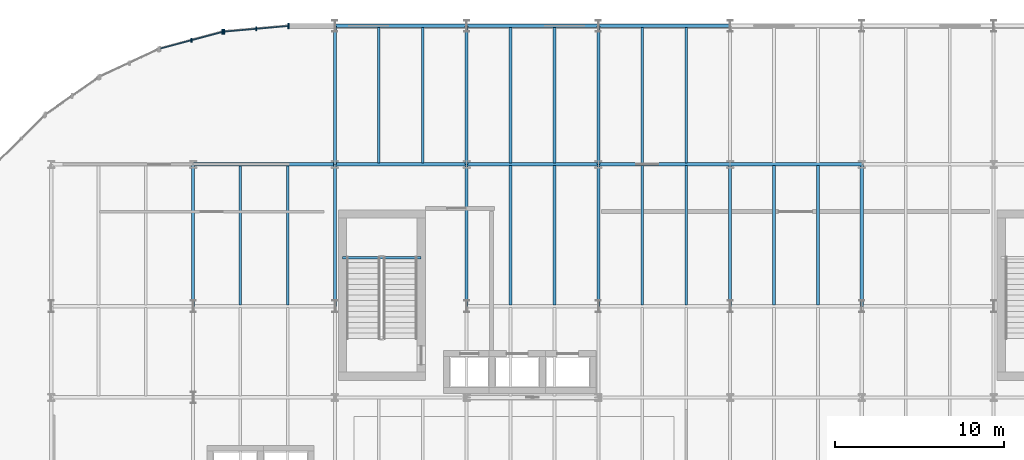
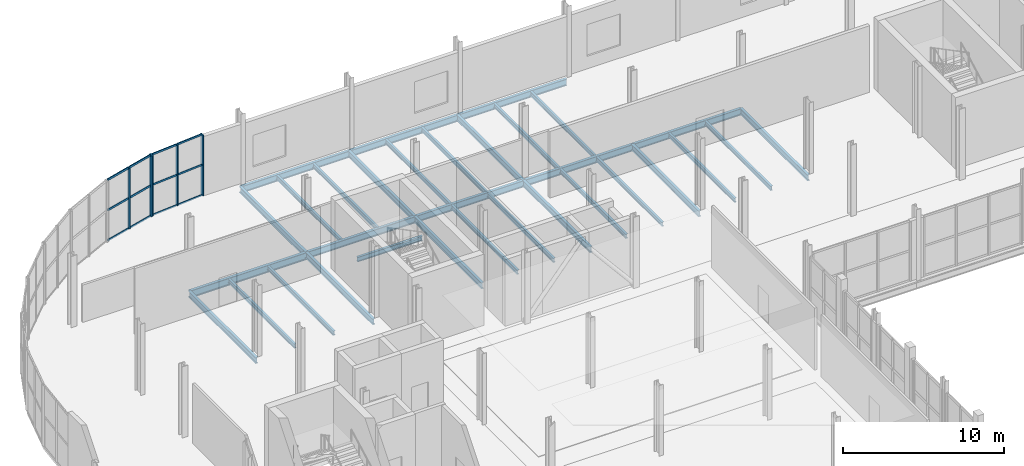
# One storey, part 28 of 78: 32 beams, 17 members, 2 elements without a shape of their own.
"""IFC4 building model written with IfcOpenShell, lengths in metres."""

from ifc_helpers import new_model, si_unit, direction, frame, origin, origin_2d, place, context, subcontext, project, spatial, rectangle, i_section, extrude, material, layer, layer_set, material_profile, profile_set, type_object, element, aggregate, save


model = new_model("IFC4")

# Units and contexts
model_context = context("Model", 3, precision=1e-05, world=origin(), true_north=direction((0.0, 1.0)))
body_context = subcontext(model_context, "Body", "Model", "MODEL_VIEW")
ifc_project = project(units=[si_unit("LENGTHUNIT", "METRE"), si_unit("AREAUNIT", "SQUARE_METRE"), si_unit("VOLUMEUNIT", "CUBIC_METRE"), si_unit("PLANEANGLEUNIT", "RADIAN"), si_unit("MASSUNIT", "GRAM", prefix="KILO")], contexts=[model_context])

# Site, building, storey
site_placement = place(None, origin())
site = spatial("IfcSite", under=ifc_project, at=site_placement, CompositionType="ELEMENT")
building_placement = place(site_placement, origin())
building = spatial("IfcBuilding", under=site, at=building_placement, Name="Sefraquen Railside Congress Hotel", CompositionType="ELEMENT")
storey_placement = place(building_placement, frame((0.0, 0.0, 6.0)))
storey = spatial("IfcBuildingStorey", under=building, at=storey_placement, Name="L01", CompositionType="ELEMENT", Elevation=6.0)

# Beams
ifc_material_1 = material(Name="Steel S355JR", Category="steel")
ifc_material_profile_1 = material_profile(ifc_material_1, i_section(OverallWidth=0.169921875, OverallDepth=0.360107421875, WebThickness=0.008056640625, FlangeThickness=0.0126953125, FilletRadius=0.01806640625, at=origin_2d()), Name="IPE 360")
ifc_profile_set_1 = profile_set([ifc_material_profile_1], Name="Steel S355JR")
beam_type_1 = type_object("IfcBeamType", Name="TB-BM-360", PredefinedType="BEAM", material=ifc_profile_set_1)
beam_1_placement = place(storey_placement, frame((25.64990234375, 104.27001953125, 2.320068359375), z_axis=(1.0, 0.0, 0.0), x_axis=(0.0, 1.0, 0.0)))
element("IfcBeam", 1, at=beam_1_placement, inside=storey, type_object=beam_type_1, Name="Stair ST-H02 L01 mid-landing corbel beam", PredefinedType="BEAM", context=body_context, shape_type="SweptSolid", body=[
    extrude(i_section(OverallWidth=0.169921875, OverallDepth=0.360107421875, WebThickness=0.008056640625, FlangeThickness=0.0126953125, FilletRadius=0.01806640625, at=origin_2d()), origin(), (0.0, 0.0, 1.0), 4.66015625),
])
ifc_material_profile_2 = material_profile(ifc_material_1, i_section(OverallWidth=0.18994140625, OverallDepth=0.449951171875, WebThickness=0.009521484375, FlangeThickness=0.0146484375, FilletRadius=0.02099609375, at=origin_2d()), Name="IPE 450")
ifc_profile_set_2 = profile_set([ifc_material_profile_2], Name="Steel S355JR")
beam_type_2 = type_object("IfcBeamType", Name="TB-BM-450", PredefinedType="BEAM", material=ifc_profile_set_2)
for number, where, z_axis, x_axis, name in (
    (2, (16.800048828125, 101.39990234375, -0.52490234375), (0.0, 1.0, 0.0), (-1.0, 0.0, 0.0), "Floor beam BM-L01-0521"),
    (3, (25.199951171875, 101.39990234375, -0.52490234375), (0.0, 1.0, 0.0), (-1.0, 0.0, 0.0), "Floor beam BM-L01-0533"),
):
    element("IfcBeam", number, at=place(storey_placement, frame(where, z_axis=z_axis, x_axis=x_axis)), inside=storey, type_object=beam_type_2, Name=name, PredefinedType="BEAM", context=body_context, shape_type="SweptSolid", body=[
        extrude(i_section(OverallWidth=0.18994140625, OverallDepth=0.449951171875, WebThickness=0.009521484375, FlangeThickness=0.0146484375, FilletRadius=0.02099609375, at=origin_2d()), origin(), (0.0, 0.0, 1.0), 8.400146484375),
    ])
beam_2_placement = place(storey_placement, frame((25.199951171875, 109.800048828125, -0.52490234375), z_axis=(0.0, 1.0, 0.0), x_axis=(-1.0, 0.0, 0.0)))
element("IfcBeam", 4, at=beam_2_placement, inside=storey, type_object=beam_type_2, Name="Floor beam BM-L01-0534", PredefinedType="BEAM", context=body_context, shape_type="SweptSolid", body=[
    extrude(i_section(OverallWidth=0.18994140625, OverallDepth=0.449951171875, WebThickness=0.009521484375, FlangeThickness=0.0146484375, FilletRadius=0.02099609375, at=origin_2d()), origin(), (0.0, 0.0, 1.0), 8.199951171875),
])
beam_3_placement = place(storey_placement, frame((33.0, 101.39990234375, -0.52490234375), z_axis=(0.0, 1.0, 0.0), x_axis=(-1.0, 0.0, 0.0)))
element("IfcBeam", 5, at=beam_3_placement, inside=storey, type_object=beam_type_2, Name="Floor beam BM-L01-0546", PredefinedType="BEAM", context=body_context, shape_type="SweptSolid", body=[
    extrude(i_section(OverallWidth=0.18994140625, OverallDepth=0.449951171875, WebThickness=0.009521484375, FlangeThickness=0.0146484375, FilletRadius=0.02099609375, at=origin_2d()), origin(), (0.0, 0.0, 1.0), 8.400146484375),
])
beam_4_placement = place(storey_placement, frame((33.0, 109.800048828125, -0.52490234375), z_axis=(0.0, 1.0, 0.0), x_axis=(-1.0, 0.0, 0.0)))
element("IfcBeam", 6, at=beam_4_placement, inside=storey, type_object=beam_type_2, Name="Floor beam BM-L01-0547", PredefinedType="BEAM", context=body_context, shape_type="SweptSolid", body=[
    extrude(i_section(OverallWidth=0.18994140625, OverallDepth=0.449951171875, WebThickness=0.009521484375, FlangeThickness=0.0146484375, FilletRadius=0.02099609375, at=origin_2d()), origin(), (0.0, 0.0, 1.0), 8.199951171875),
])
beam_5_placement = place(storey_placement, frame((40.800048828125, 101.39990234375, -0.52490234375), z_axis=(0.0, 1.0, 0.0), x_axis=(-1.0, 0.0, 0.0)))
element("IfcBeam", 7, at=beam_5_placement, inside=storey, type_object=beam_type_2, Name="Floor beam BM-L01-0557", PredefinedType="BEAM", context=body_context, shape_type="SweptSolid", body=[
    extrude(i_section(OverallWidth=0.18994140625, OverallDepth=0.449951171875, WebThickness=0.009521484375, FlangeThickness=0.0146484375, FilletRadius=0.02099609375, at=origin_2d()), origin(), (0.0, 0.0, 1.0), 8.400146484375),
])
beam_6_placement = place(storey_placement, frame((40.800048828125, 109.800048828125, -0.52490234375), z_axis=(0.0, 1.0, 0.0), x_axis=(-1.0, 0.0, 0.0)))
element("IfcBeam", 8, at=beam_6_placement, inside=storey, type_object=beam_type_2, Name="Floor beam BM-L01-0558", PredefinedType="BEAM", context=body_context, shape_type="SweptSolid", body=[
    extrude(i_section(OverallWidth=0.18994140625, OverallDepth=0.449951171875, WebThickness=0.009521484375, FlangeThickness=0.0146484375, FilletRadius=0.02099609375, at=origin_2d()), origin(), (0.0, 0.0, 1.0), 8.199951171875),
])
for number, where, z_axis, x_axis, name in (
    (9, (48.60009765625, 101.39990234375, -0.52490234375), (0.0, 1.0, 0.0), (-1.0, 0.0, 0.0), "Floor beam BM-L01-0566"),
    (10, (56.39990234375, 101.39990234375, -0.52490234375), (0.0, 1.0, 0.0), (-1.0, 0.0, 0.0), "Floor beam BM-L01-0570"),
):
    element("IfcBeam", number, at=place(storey_placement, frame(where, z_axis=z_axis, x_axis=x_axis)), inside=storey, type_object=beam_type_2, Name=name, PredefinedType="BEAM", context=body_context, shape_type="SweptSolid", body=[
        extrude(i_section(OverallWidth=0.18994140625, OverallDepth=0.449951171875, WebThickness=0.009521484375, FlangeThickness=0.0146484375, FilletRadius=0.02099609375, at=origin_2d()), origin(), (0.0, 0.0, 1.0), 8.400146484375),
    ])
ifc_material_profile_3 = material_profile(ifc_material_1, i_section(OverallWidth=0.199951171875, OverallDepth=0.5, WebThickness=0.01025390625, FlangeThickness=0.01611328125, FilletRadius=0.02099609375, at=origin_2d()), Name="IPE 500")
ifc_profile_set_3 = profile_set([ifc_material_profile_3], Name="Steel S355JR")
beam_type_3 = type_object("IfcBeamType", Name="TB-BM-500", PredefinedType="BEAM", material=ifc_profile_set_3)
for number, where, z_axis, x_axis, name in (
    (11, (25.199951171875, 109.800048828125, -0.550048828125), (1.0, 0.0, 0.0), (0.0, 1.0, 0.0), "Primary girder BM-L01-0483"),
    (12, (33.0, 109.800048828125, -0.550048828125), (1.0, 0.0, 0.0), (0.0, 1.0, 0.0), "Primary girder BM-L01-0484"),
    (13, (40.800048828125, 109.800048828125, -0.550048828125), (1.0, 0.0, 0.0), (0.0, 1.0, 0.0), "Primary girder BM-L01-0485"),
):
    element("IfcBeam", number, at=place(storey_placement, frame(where, z_axis=z_axis, x_axis=x_axis)), inside=storey, type_object=beam_type_3, Name=name, PredefinedType="BEAM", context=body_context, shape_type="SweptSolid", body=[
        extrude(i_section(OverallWidth=0.199951171875, OverallDepth=0.5, WebThickness=0.01025390625, FlangeThickness=0.01611328125, FilletRadius=0.02099609375, at=origin_2d()), origin(), (0.0, 0.0, 1.0), 7.800048828125),
    ])
beam_7_placement = place(storey_placement, frame((48.60009765625, 109.800048828125, -0.550048828125), z_axis=(1.0, 0.0, 0.0), x_axis=(0.0, 1.0, 0.0)))
element("IfcBeam", 14, at=beam_7_placement, inside=storey, type_object=beam_type_3, Name="Primary girder BM-L01-0486", PredefinedType="BEAM", context=body_context, shape_type="SweptSolid", body=[
    extrude(i_section(OverallWidth=0.199951171875, OverallDepth=0.5, WebThickness=0.01025390625, FlangeThickness=0.01611328125, FilletRadius=0.02099609375, at=origin_2d()), origin(), (0.0, 0.0, 1.0), 7.7998046875),
])
for number, where, z_axis, x_axis, name in (
    (15, (25.199951171875, 118.0, -0.550048828125), (1.0, 0.0, 0.0), (0.0, 1.0, 0.0), "Primary girder BM-L01-0495"),
    (16, (33.0, 118.0, -0.550048828125), (1.0, 0.0, 0.0), (0.0, 1.0, 0.0), "Primary girder BM-L01-0496"),
    (17, (40.800048828125, 118.0, -0.550048828125), (1.0, 0.0, 0.0), (0.0, 1.0, 0.0), "Primary girder BM-L01-0497"),
):
    element("IfcBeam", number, at=place(storey_placement, frame(where, z_axis=z_axis, x_axis=x_axis)), inside=storey, type_object=beam_type_3, Name=name, PredefinedType="BEAM", context=body_context, shape_type="SweptSolid", body=[
        extrude(i_section(OverallWidth=0.199951171875, OverallDepth=0.5, WebThickness=0.01025390625, FlangeThickness=0.01611328125, FilletRadius=0.02099609375, at=origin_2d()), origin(), (0.0, 0.0, 1.0), 7.800048828125),
    ])
ifc_material_profile_4 = material_profile(ifc_material_1, i_section(OverallWidth=0.2099609375, OverallDepth=0.550048828125, WebThickness=0.010986328125, FlangeThickness=0.01708984375, FilletRadius=0.02392578125, at=origin_2d()), Name="IPE 550")
ifc_profile_set_4 = profile_set([ifc_material_profile_4], Name="Steel S355JR")
beam_type_4 = type_object("IfcBeamType", Name="TB-GIR-550", PredefinedType="T_BEAM", material=ifc_profile_set_4)
beam_8_placement = place(storey_placement, frame((16.800048828125, 109.800048828125, -0.574951171875), z_axis=(1.0, 0.0, 0.0), x_axis=(0.0, 1.0, 0.0)))
element("IfcBeam", 18, at=beam_8_placement, inside=storey, type_object=beam_type_4, Name="Primary girder BM-L01-0482", PredefinedType="T_BEAM", context=body_context, shape_type="SweptSolid", body=[
    extrude(i_section(OverallWidth=0.2099609375, OverallDepth=0.550048828125, WebThickness=0.010986328125, FlangeThickness=0.01708984375, FilletRadius=0.02392578125, at=origin_2d()), origin(), (0.0, 0.0, 1.0), 8.39990234375),
])
ifc_material_profile_5 = material_profile(ifc_material_1, i_section(OverallWidth=0.159912109375, OverallDepth=0.330078125, WebThickness=0.007568359375, FlangeThickness=0.011474609375, FilletRadius=0.01806640625, at=origin_2d()), Name="IPE 330")
ifc_profile_set_5 = profile_set([ifc_material_profile_5], Name="Steel S355JR")
beam_type_5 = type_object("IfcBeamType", Name="TB-JST-330", PredefinedType="JOIST", material=ifc_profile_set_5)
for number, where, z_axis, x_axis, name in (
    (19, (19.60009765625, 101.485107421875, -0.465087890625), (0.0, 1.0, 0.0), (-1.0, 0.0, 0.0), "Composite floor joist BM-L01-J0227"),
    (20, (22.39990234375, 101.485107421875, -0.465087890625), (0.0, 1.0, 0.0), (-1.0, 0.0, 0.0), "Composite floor joist BM-L01-J0228"),
):
    element("IfcBeam", number, at=place(storey_placement, frame(where, z_axis=z_axis, x_axis=x_axis)), inside=storey, type_object=beam_type_5, Name=name, PredefinedType="JOIST", context=body_context, shape_type="SweptSolid", body=[
        extrude(i_section(OverallWidth=0.159912109375, OverallDepth=0.330078125, WebThickness=0.007568359375, FlangeThickness=0.011474609375, FilletRadius=0.01806640625, at=origin_2d()), origin(), (0.0, 0.0, 1.0), 8.22998046875),
    ])
for number, where, z_axis, x_axis, name in (
    (21, (27.800048828125, 109.8798828125, -0.465087890625), (0.0, 1.0, 0.0), (-1.0, 0.0, 0.0), "Composite floor joist BM-L01-J0244"),
    (22, (30.39990234375, 109.8798828125, -0.465087890625), (0.0, 1.0, 0.0), (-1.0, 0.0, 0.0), "Composite floor joist BM-L01-J0245"),
):
    element("IfcBeam", number, at=place(storey_placement, frame(where, z_axis=z_axis, x_axis=x_axis)), inside=storey, type_object=beam_type_5, Name=name, PredefinedType="JOIST", context=body_context, shape_type="SweptSolid", body=[
        extrude(i_section(OverallWidth=0.159912109375, OverallDepth=0.330078125, WebThickness=0.007568359375, FlangeThickness=0.011474609375, FilletRadius=0.01806640625, at=origin_2d()), origin(), (0.0, 0.0, 1.0), 8.0400390625),
    ])
for number, where, z_axis, x_axis, name in (
    (23, (35.60009765625, 101.47998046875, -0.465087890625), (0.0, 1.0, 0.0), (-1.0, 0.0, 0.0), "Composite floor joist BM-L01-J0264"),
    (24, (38.199951171875, 101.47998046875, -0.465087890625), (0.0, 1.0, 0.0), (-1.0, 0.0, 0.0), "Composite floor joist BM-L01-J0265"),
):
    element("IfcBeam", number, at=place(storey_placement, frame(where, z_axis=z_axis, x_axis=x_axis)), inside=storey, type_object=beam_type_5, Name=name, PredefinedType="JOIST", context=body_context, shape_type="SweptSolid", body=[
        extrude(i_section(OverallWidth=0.159912109375, OverallDepth=0.330078125, WebThickness=0.007568359375, FlangeThickness=0.011474609375, FilletRadius=0.01806640625, at=origin_2d()), origin(), (0.0, 0.0, 1.0), 8.239990234375),
    ])
for number, where, z_axis, x_axis, name in (
    (25, (35.60009765625, 109.8798828125, -0.465087890625), (0.0, 1.0, 0.0), (-1.0, 0.0, 0.0), "Composite floor joist BM-L01-J0266"),
    (26, (38.199951171875, 109.8798828125, -0.465087890625), (0.0, 1.0, 0.0), (-1.0, 0.0, 0.0), "Composite floor joist BM-L01-J0267"),
):
    element("IfcBeam", number, at=place(storey_placement, frame(where, z_axis=z_axis, x_axis=x_axis)), inside=storey, type_object=beam_type_5, Name=name, PredefinedType="JOIST", context=body_context, shape_type="SweptSolid", body=[
        extrude(i_section(OverallWidth=0.159912109375, OverallDepth=0.330078125, WebThickness=0.007568359375, FlangeThickness=0.011474609375, FilletRadius=0.01806640625, at=origin_2d()), origin(), (0.0, 0.0, 1.0), 8.0400390625),
    ])
for number, where, z_axis, x_axis, name in (
    (27, (43.39990234375, 101.47998046875, -0.465087890625), (0.0, 1.0, 0.0), (-1.0, 0.0, 0.0), "Composite floor joist BM-L01-J0282"),
    (28, (46.0, 101.47998046875, -0.465087890625), (0.0, 1.0, 0.0), (-1.0, 0.0, 0.0), "Composite floor joist BM-L01-J0283"),
):
    element("IfcBeam", number, at=place(storey_placement, frame(where, z_axis=z_axis, x_axis=x_axis)), inside=storey, type_object=beam_type_5, Name=name, PredefinedType="JOIST", context=body_context, shape_type="SweptSolid", body=[
        extrude(i_section(OverallWidth=0.159912109375, OverallDepth=0.330078125, WebThickness=0.007568359375, FlangeThickness=0.011474609375, FilletRadius=0.01806640625, at=origin_2d()), origin(), (0.0, 0.0, 1.0), 8.239990234375),
    ])
for number, where, z_axis, x_axis, name in (
    (29, (43.39990234375, 109.8798828125, -0.465087890625), (0.0, 1.0, 0.0), (-1.0, 0.0, 0.0), "Composite floor joist BM-L01-J0284"),
    (30, (46.0, 109.8798828125, -0.465087890625), (0.0, 1.0, 0.0), (-1.0, 0.0, 0.0), "Composite floor joist BM-L01-J0285"),
):
    element("IfcBeam", number, at=place(storey_placement, frame(where, z_axis=z_axis, x_axis=x_axis)), inside=storey, type_object=beam_type_5, Name=name, PredefinedType="JOIST", context=body_context, shape_type="SweptSolid", body=[
        extrude(i_section(OverallWidth=0.159912109375, OverallDepth=0.330078125, WebThickness=0.007568359375, FlangeThickness=0.011474609375, FilletRadius=0.01806640625, at=origin_2d()), origin(), (0.0, 0.0, 1.0), 8.0400390625),
    ])
for number, where, z_axis, x_axis, name in (
    (31, (51.199951171875, 101.47998046875, -0.465087890625), (0.0, 1.0, 0.0), (-1.0, 0.0, 0.0), "Composite floor joist BM-L01-J0290"),
    (32, (53.800048828125, 101.47998046875, -0.465087890625), (0.0, 1.0, 0.0), (-1.0, 0.0, 0.0), "Composite floor joist BM-L01-J0291"),
):
    element("IfcBeam", number, at=place(storey_placement, frame(where, z_axis=z_axis, x_axis=x_axis)), inside=storey, type_object=beam_type_5, Name=name, PredefinedType="JOIST", context=body_context, shape_type="SweptSolid", body=[
        extrude(i_section(OverallWidth=0.159912109375, OverallDepth=0.330078125, WebThickness=0.007568359375, FlangeThickness=0.011474609375, FilletRadius=0.01806640625, at=origin_2d()), origin(), (0.0, 0.0, 1.0), 8.239990234375),
    ])

# Curtain wall, member
ifc_material_2 = material(Name="Thermally broken anodised aluminium and low-E double glazing", Category="aluminium")
ifc_layer_1 = layer(ifc_material_2, 0.199951171875)
ifc_layer_set_1 = layer_set([ifc_layer_1], Name="Thermally broken anodised aluminium and low-E double glazing")
curtain_wall_type_1 = type_object("IfcCurtainWallType", Name="TCW-UCW-10", PredefinedType="USERDEFINED", material=ifc_layer_set_1)
curtain_wall_1_placement = place(storey_placement, origin())
curtain_wall_1 = element("IfcCurtainWall", 33, at=curtain_wall_1_placement, inside=storey, type_object=curtain_wall_type_1, Name="Rotunda L01 curved curtain wall facet 1", ObjectType="UNITISED CURTAIN WALL", PredefinedType="USERDEFINED")
ifc_material_3 = material(Name="Thermally broken anodised aluminium 6063-T6", Category="aluminium")
ifc_material_profile_6 = material_profile(ifc_material_3, rectangle(XDim=0.074951171875, YDim=0.219970703125, at=origin_2d()), Name="CWM 75x220")
ifc_profile_set_6 = profile_set([ifc_material_profile_6], Name="Thermally broken anodised aluminium 6063-T6")
member_type_1 = type_object("IfcMemberType", Name="TM-CWM-04", PredefinedType="MULLION", material=ifc_profile_set_6)
member_1_placement = place(storey_placement, frame((20.54638671875, 117.8291015625, 0.0), z_axis=(0.0, 0.0, 1.0), x_axis=(1.0, 0.0, 0.0)))
member_1 = element("IfcMember", 34, at=member_1_placement, type_object=member_type_1, Name="CW-L01-ROT-01 mullion 2", PredefinedType="MULLION", context=body_context, shape_type="SweptSolid", body=[
    extrude(rectangle(XDim=0.074951171875, YDim=0.219970703125, at=origin_2d()), origin(), (0.0, 0.0, 1.0), 4.60009765625),
])

ifc_layer_2 = layer(ifc_material_2, 0.199951171875)
ifc_layer_set_2 = layer_set([ifc_layer_2], Name="Thermally broken anodised aluminium and low-E double glazing")
curtain_wall_type_2 = type_object("IfcCurtainWallType", Name="TCW-UCW-11", PredefinedType="USERDEFINED", material=ifc_layer_set_2)
curtain_wall_2_placement = place(storey_placement, origin())
curtain_wall_2 = element("IfcCurtainWall", 35, at=curtain_wall_2_placement, inside=storey, type_object=curtain_wall_type_2, Name="Rotunda L01 curved curtain wall facet 2", ObjectType="UNITISED CURTAIN WALL", PredefinedType="USERDEFINED")
ifc_material_profile_7 = material_profile(ifc_material_3, rectangle(XDim=0.080078125, YDim=0.239990234375, at=origin_2d()), Name="CWM 80x240")
ifc_profile_set_7 = profile_set([ifc_material_profile_7], Name="Thermally broken anodised aluminium 6063-T6")
member_type_2 = type_object("IfcMemberType", Name="TM-CWM-05", PredefinedType="MULLION", material=ifc_profile_set_7)
member_2_placement = place(storey_placement, frame((16.69873046875, 117.150634765625, 0.0), z_axis=(0.0, 0.0, 1.0), x_axis=(1.0, 0.0, 0.0)))
member_2 = element("IfcMember", 36, at=member_2_placement, type_object=member_type_2, Name="CW-L01-ROT-02 mullion 2", PredefinedType="MULLION", context=body_context, shape_type="SweptSolid", body=[
    extrude(rectangle(XDim=0.080078125, YDim=0.239990234375, at=origin_2d()), origin(), (0.0, 0.0, 1.0), 4.60009765625),
])

# Member
ifc_material_profile_8 = material_profile(ifc_material_3, rectangle(XDim=0.094970703125, YDim=0.300048828125, at=origin_2d()), Name="CWM 95x300")
ifc_profile_set_8 = profile_set([ifc_material_profile_8], Name="Thermally broken anodised aluminium 6063-T6")
member_type_3 = type_object("IfcMemberType", Name="TM-CWM-08", PredefinedType="MULLION", material=ifc_profile_set_8)
member_3_placement = place(storey_placement, frame((22.460205078125, 117.99658203125, 0.0), z_axis=(0.0, 0.0, 1.0), x_axis=(1.0, 0.0, 0.0)))
member_3 = element("IfcMember", 37, at=member_3_placement, type_object=member_type_3, Name="CW-L01-ROT-01 mullion 1", PredefinedType="MULLION", context=body_context, shape_type="SweptSolid", body=[
    extrude(rectangle(XDim=0.094970703125, YDim=0.300048828125, at=origin_2d()), origin(), (0.0, 0.0, 1.0), 4.60009765625),
])

member_4_placement = place(storey_placement, frame((18.6328125, 117.66162109375, 0.0), z_axis=(0.0, 0.0, 1.0), x_axis=(1.0, 0.0, 0.0)))
member_4 = element("IfcMember", 38, at=member_4_placement, type_object=member_type_3, Name="CW-L01-ROT-01 mullion 3", PredefinedType="MULLION", context=body_context, shape_type="SweptSolid", body=[
    extrude(rectangle(XDim=0.094970703125, YDim=0.300048828125, at=origin_2d()), origin(), (0.0, 0.0, 1.0), 4.60009765625),
])

member_5_placement = place(storey_placement, frame((18.55419921875, 117.647705078125, 0.0), z_axis=(0.0, 0.0, 1.0), x_axis=(1.0, 0.0, 0.0)))
member_5 = element("IfcMember", 39, at=member_5_placement, type_object=member_type_3, Name="CW-L01-ROT-02 mullion 1", PredefinedType="MULLION", context=body_context, shape_type="SweptSolid", body=[
    extrude(rectangle(XDim=0.094970703125, YDim=0.300048828125, at=origin_2d()), origin(), (0.0, 0.0, 1.0), 4.60009765625),
])

ifc_material_profile_9 = material_profile(ifc_material_3, rectangle(XDim=0.06494140625, YDim=0.135009765625, at=origin_2d()), Name="CWT 65x135")
ifc_profile_set_9 = profile_set([ifc_material_profile_9], Name="Thermally broken anodised aluminium 6063-T6")
member_type_4 = type_object("IfcMemberType", Name="TM-CWT-02", PredefinedType="USERDEFINED", material=ifc_profile_set_9)
member_6_placement = place(storey_placement, frame((22.415283203125, 117.99267578125, 0.0), z_axis=(-0.996190387898, -0.08720499447, 0.0), x_axis=(0.08720499447, -0.996190387898, 0.0)))
member_6 = element("IfcMember", 40, at=member_6_placement, type_object=member_type_4, Name="CW-L01-ROT-01 transom 1.1", ObjectType="TRANSOM", PredefinedType="USERDEFINED", context=body_context, shape_type="SweptSolid", body=[
    extrude(rectangle(XDim=0.06494140625, YDim=0.135009765625, at=origin_2d()), origin(), (0.0, 0.0, 1.0), 1.8310546875),
])

member_7_placement = place(storey_placement, frame((20.501708984375, 117.8251953125, 0.0), z_axis=(-0.996191401715, -0.087193412302, 0.0), x_axis=(0.087193412302, -0.996191401715, 0.0)))
member_7 = element("IfcMember", 41, at=member_7_placement, type_object=member_type_4, Name="CW-L01-ROT-01 transom 1.2", ObjectType="TRANSOM", PredefinedType="USERDEFINED", context=body_context, shape_type="SweptSolid", body=[
    extrude(rectangle(XDim=0.06494140625, YDim=0.135009765625, at=origin_2d()), origin(), (0.0, 0.0, 1.0), 1.831298828125),
])

member_8_placement = place(storey_placement, frame((22.415283203125, 117.99267578125, 2.300048828125), z_axis=(-0.996190387898, -0.08720499447, 0.0), x_axis=(0.08720499447, -0.996190387898, 0.0)))
member_8 = element("IfcMember", 42, at=member_8_placement, type_object=member_type_4, Name="CW-L01-ROT-01 transom 2.1", ObjectType="TRANSOM", PredefinedType="USERDEFINED", context=body_context, shape_type="SweptSolid", body=[
    extrude(rectangle(XDim=0.06494140625, YDim=0.135009765625, at=origin_2d()), origin(), (0.0, 0.0, 1.0), 1.8310546875),
])

member_9_placement = place(storey_placement, frame((20.501708984375, 117.8251953125, 2.300048828125), z_axis=(-0.996191401715, -0.087193412302, 0.0), x_axis=(0.087193412302, -0.996191401715, 0.0)))
member_9 = element("IfcMember", 43, at=member_9_placement, type_object=member_type_4, Name="CW-L01-ROT-01 transom 2.2", ObjectType="TRANSOM", PredefinedType="USERDEFINED", context=body_context, shape_type="SweptSolid", body=[
    extrude(rectangle(XDim=0.06494140625, YDim=0.135009765625, at=origin_2d()), origin(), (0.0, 0.0, 1.0), 1.831298828125),
])

member_10_placement = place(storey_placement, frame((22.415283203125, 117.99267578125, 4.60009765625), z_axis=(-0.996190387898, -0.08720499447, 0.0), x_axis=(0.08720499447, -0.996190387898, 0.0)))
member_10 = element("IfcMember", 44, at=member_10_placement, type_object=member_type_4, Name="CW-L01-ROT-01 transom 3.1", ObjectType="TRANSOM", PredefinedType="USERDEFINED", context=body_context, shape_type="SweptSolid", body=[
    extrude(rectangle(XDim=0.06494140625, YDim=0.135009765625, at=origin_2d()), origin(), (0.0, 0.0, 1.0), 1.8310546875),
])

member_11_placement = place(storey_placement, frame((20.501708984375, 117.8251953125, 4.60009765625), z_axis=(-0.996191401715, -0.087193412302, 0.0), x_axis=(0.087193412302, -0.996191401715, 0.0)))
member_11 = element("IfcMember", 45, at=member_11_placement, type_object=member_type_4, Name="CW-L01-ROT-01 transom 3.2", ObjectType="TRANSOM", PredefinedType="USERDEFINED", context=body_context, shape_type="SweptSolid", body=[
    extrude(rectangle(XDim=0.06494140625, YDim=0.135009765625, at=origin_2d()), origin(), (0.0, 0.0, 1.0), 1.831298828125),
])

aggregate(curtain_wall_1, [member_3, member_1, member_4, member_6, member_7, member_8, member_9, member_10, member_11])

ifc_material_profile_10 = material_profile(ifc_material_3, rectangle(XDim=0.070068359375, YDim=0.14990234375, at=origin_2d()), Name="CWT 70x150")
ifc_profile_set_10 = profile_set([ifc_material_profile_10], Name="Thermally broken anodised aluminium 6063-T6")
member_type_5 = type_object("IfcMemberType", Name="TM-CWT-03", PredefinedType="USERDEFINED", material=ifc_profile_set_10)
member_12_placement = place(storey_placement, frame((18.5107421875, 117.63623046875, 0.0), z_axis=(-0.965893282759, -0.25894046868, 0.0), x_axis=(0.25894046868, -0.965893282759, 0.0)))
member_12 = element("IfcMember", 46, at=member_12_placement, type_object=member_type_5, Name="CW-L01-ROT-02 transom 1.1", ObjectType="TRANSOM", PredefinedType="USERDEFINED", context=body_context, shape_type="SweptSolid", body=[
    extrude(rectangle(XDim=0.070068359375, YDim=0.14990234375, at=origin_2d()), origin(), (0.0, 0.0, 1.0), 1.8310546875),
])

member_13_placement = place(storey_placement, frame((16.6552734375, 117.138916015625, 0.0), z_axis=(-0.965926624666, -0.258816065499, 0.0), x_axis=(0.258816065499, -0.965926624666, 0.0)))
member_13 = element("IfcMember", 47, at=member_13_placement, type_object=member_type_5, Name="CW-L01-ROT-02 transom 1.2", ObjectType="TRANSOM", PredefinedType="USERDEFINED", context=body_context, shape_type="SweptSolid", body=[
    extrude(rectangle(XDim=0.070068359375, YDim=0.14990234375, at=origin_2d()), origin(), (0.0, 0.0, 1.0), 1.8310546875),
])

member_14_placement = place(storey_placement, frame((18.5107421875, 117.63623046875, 2.300048828125), z_axis=(-0.965893282759, -0.25894046868, 0.0), x_axis=(0.25894046868, -0.965893282759, 0.0)))
member_14 = element("IfcMember", 48, at=member_14_placement, type_object=member_type_5, Name="CW-L01-ROT-02 transom 2.1", ObjectType="TRANSOM", PredefinedType="USERDEFINED", context=body_context, shape_type="SweptSolid", body=[
    extrude(rectangle(XDim=0.070068359375, YDim=0.14990234375, at=origin_2d()), origin(), (0.0, 0.0, 1.0), 1.8310546875),
])

member_15_placement = place(storey_placement, frame((16.6552734375, 117.138916015625, 2.300048828125), z_axis=(-0.965926624666, -0.258816065499, 0.0), x_axis=(0.258816065499, -0.965926624666, 0.0)))
member_15 = element("IfcMember", 49, at=member_15_placement, type_object=member_type_5, Name="CW-L01-ROT-02 transom 2.2", ObjectType="TRANSOM", PredefinedType="USERDEFINED", context=body_context, shape_type="SweptSolid", body=[
    extrude(rectangle(XDim=0.070068359375, YDim=0.14990234375, at=origin_2d()), origin(), (0.0, 0.0, 1.0), 1.8310546875),
])

member_16_placement = place(storey_placement, frame((18.5107421875, 117.63623046875, 4.60009765625), z_axis=(-0.965893282759, -0.25894046868, 0.0), x_axis=(0.25894046868, -0.965893282759, 0.0)))
member_16 = element("IfcMember", 50, at=member_16_placement, type_object=member_type_5, Name="CW-L01-ROT-02 transom 3.1", ObjectType="TRANSOM", PredefinedType="USERDEFINED", context=body_context, shape_type="SweptSolid", body=[
    extrude(rectangle(XDim=0.070068359375, YDim=0.14990234375, at=origin_2d()), origin(), (0.0, 0.0, 1.0), 1.8310546875),
])

member_17_placement = place(storey_placement, frame((16.6552734375, 117.138916015625, 4.60009765625), z_axis=(-0.965926624666, -0.258816065499, 0.0), x_axis=(0.258816065499, -0.965926624666, 0.0)))
member_17 = element("IfcMember", 51, at=member_17_placement, type_object=member_type_5, Name="CW-L01-ROT-02 transom 3.2", ObjectType="TRANSOM", PredefinedType="USERDEFINED", context=body_context, shape_type="SweptSolid", body=[
    extrude(rectangle(XDim=0.070068359375, YDim=0.14990234375, at=origin_2d()), origin(), (0.0, 0.0, 1.0), 1.8310546875),
])

aggregate(curtain_wall_2, [member_5, member_2, member_12, member_13, member_14, member_15, member_16, member_17])

save(model, "model.ifc")
